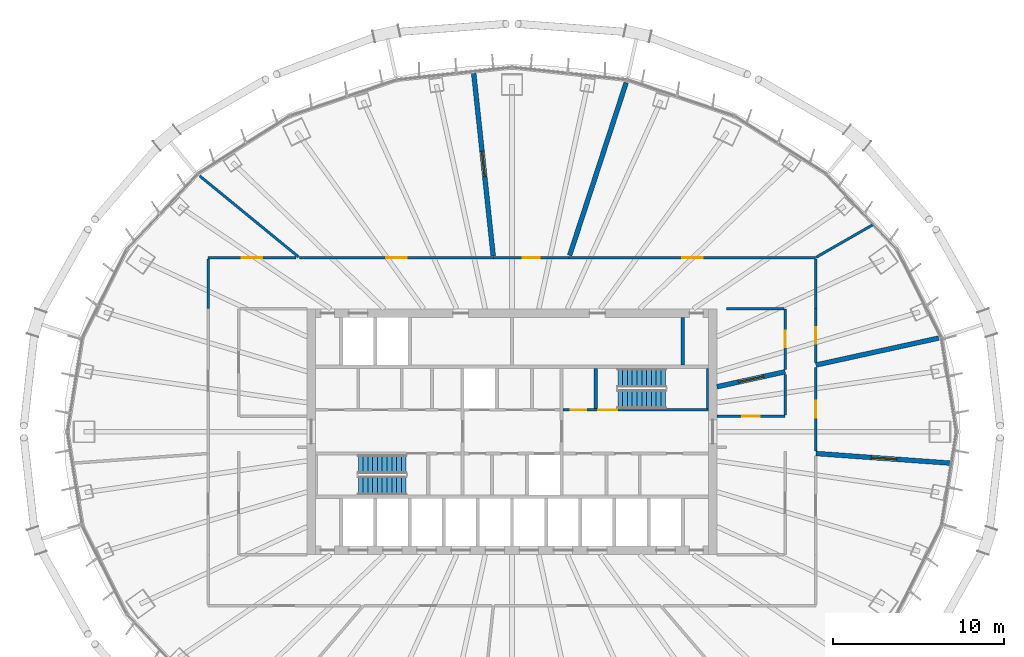
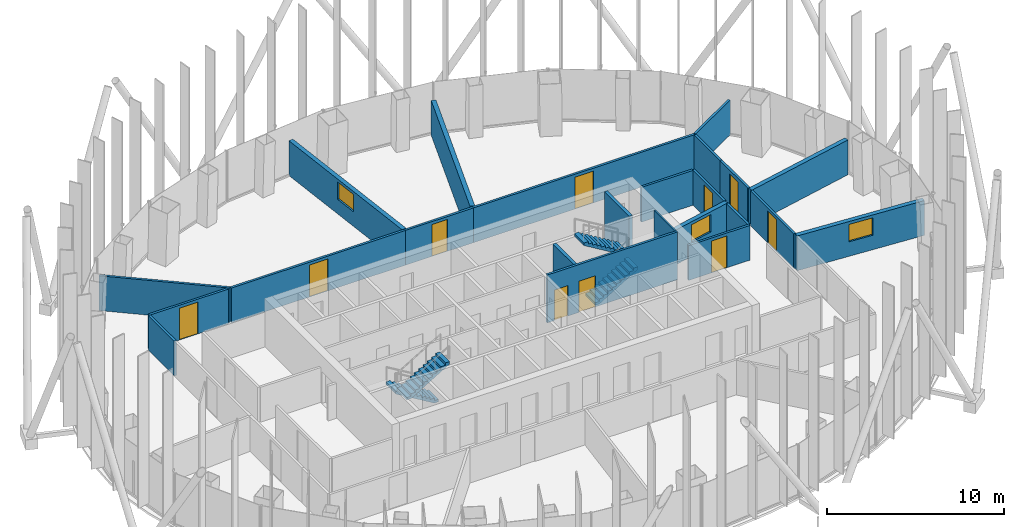
# One storey, part 10 of 19: 23 walls, 10 doors, 4 stair flights, 3 windows, 13 openings, 2 elements without a shape of their own.
"""IFC4 building model written with IfcOpenShell, lengths in metres."""

from ifc_helpers import new_model, si_unit, direction, frame, frame_2d, origin, place, context, subcontext, project, spatial, polyline, rectangle, outline, extrude, material, layer, layer_set, type_object, element, fill, aggregate, save


model = new_model("IFC4")

# Units and contexts
model_context = context("Model", 3, precision=1e-05, world=origin(), true_north=direction((0.0, 1.0)))
body_context = subcontext(model_context, "Body", "Model", "MODEL_VIEW")
ifc_project = project(units=[si_unit("LENGTHUNIT", "METRE"), si_unit("AREAUNIT", "SQUARE_METRE"), si_unit("VOLUMEUNIT", "CUBIC_METRE"), si_unit("PLANEANGLEUNIT", "RADIAN"), si_unit("MASSUNIT", "GRAM", prefix="KILO")], contexts=[model_context])

# Site, building, storey
site_placement = place(None, origin())
site = spatial("IfcSite", under=ifc_project, at=site_placement, CompositionType="ELEMENT")
building_placement = place(site_placement, origin())
building = spatial("IfcBuilding", under=site, at=building_placement, Name="Siaravel Broadcast Tower", CompositionType="ELEMENT")
storey_placement = place(building_placement, frame((0.0, 0.0, 97.10009765625)))
storey = spatial("IfcBuildingStorey", under=building, at=storey_placement, Name="L22", CompositionType="ELEMENT", Elevation=97.10009765625)

# Wall, opening, window
ifc_material_1 = material(Name="Double-leaf acoustic partition", Category="gypsum")
ifc_layer_1 = layer(ifc_material_1, 0.280029296875)
ifc_layer_set_1 = layer_set([ifc_layer_1], Name="Double-leaf acoustic partition")
wall_type_1 = type_object("IfcWallType", Name="Acoustic double-leaf wall 280", PredefinedType="PARTITIONING", material=ifc_layer_set_1)
wall_1_placement = place(storey_placement, frame((-1.09912109375, 10.2919921875, 0.0), z_axis=(0.0, 0.0, 1.0), x_axis=(-0.106202827, 0.994344487, 0.0)))
wall_1 = element("IfcWall", 1, at=wall_1_placement, inside=storey, type_object=wall_type_1, Name="L22 partition 4", PredefinedType="PARTITIONING", context=body_context, shape_type="SweptSolid", body=[
    extrude(rectangle(XDim=10.857421875, YDim=0.280029296875, at=frame_2d((5.4287109375, 0.0))), origin(), (0.0, 0.0, 1.0), 2.39990234375),
])
opening_1_placement = place(wall_1_placement, frame((4.6787109375, 0.0, 1.0)))
opening_1 = element("IfcOpeningElement", 2, at=opening_1_placement, cuts=wall_1, Name="Opening L22-W03", PredefinedType="OPENING", context=body_context, shape_type="SweptSolid", body=[
    extrude(rectangle(XDim=1.5, YDim=1.199951171875, at=frame_2d((0.75, 0.60009765625))), frame((0.0, 0.14990234375, 0.0), z_axis=(0.0, -1.0, 0.0), x_axis=(1.0, 0.0, 0.0)), (0.0, 0.0, 1.0), 0.300048828125),
])
ifc_material_2 = material(Name="Laminated acoustic glass", Category="glass")
window_type = type_object("IfcWindowType", Name="Studio viewing window 1500", PartitioningType="SINGLE_PANEL", PredefinedType="WINDOW", material=ifc_material_2)
window_1_placement = place(opening_1_placement, origin())
window_1 = element("IfcWindow", 3, at=window_1_placement, inside=storey, type_object=window_type, Name="L22 viewing window to Viewing theatre", OverallHeight=1.199951171875, OverallWidth=1.5, PartitioningType="SINGLE_PANEL", PredefinedType="WINDOW", context=body_context, shape_type="SweptSolid", body=[
    extrude(rectangle(XDim=1.5, YDim=1.199951171875, at=frame_2d((0.75, 0.60009765625))), frame((0.0, 0.030029296875, 0.0), z_axis=(0.0, -1.0, 0.0), x_axis=(1.0, 0.0, 0.0)), (0.0, 0.0, 1.0), 0.06005859375),
])
fill(opening_1, window_1)

# Wall
wall_2_placement = place(storey_placement, frame((6.68896484375, 20.447998046875, 0.0), z_axis=(0.0, 0.0, 1.0), x_axis=(-0.310888923, -0.950446252, 0.0)))
element("IfcWall", 4, at=wall_2_placement, inside=storey, type_object=wall_type_1, Name="L22 partition 5", PredefinedType="PARTITIONING", context=body_context, shape_type="SweptSolid", body=[
    extrude(rectangle(XDim=10.65576171875, YDim=0.280029296875, at=frame_2d((5.327880859375, 0.0))), origin(), (0.0, 0.0, 1.0), 2.39990234375),
])

# Wall, opening, window
wall_3_placement = place(storey_placement, frame((25.77099609375, -1.8466796875, 0.0), z_axis=(0.0, 0.0, 1.0), x_axis=(-0.997443635, 0.071457645, 0.0)))
wall_3 = element("IfcWall", 5, at=wall_3_placement, inside=storey, type_object=wall_type_1, Name="L22 partition 12", PredefinedType="PARTITIONING", context=body_context, shape_type="SweptSolid", body=[
    extrude(rectangle(XDim=7.991455078125, YDim=0.280029296875, at=frame_2d((3.99560546875, 0.0))), origin(), (0.0, 0.0, 1.0), 2.39990234375),
])
opening_2_placement = place(wall_3_placement, frame((3.245849609375, 0.0, 1.0)))
opening_2 = element("IfcOpeningElement", 6, at=opening_2_placement, cuts=wall_3, Name="Opening L22-W02", PredefinedType="OPENING", context=body_context, shape_type="SweptSolid", body=[
    extrude(rectangle(XDim=1.5, YDim=1.199951171875, at=frame_2d((0.75, 0.60009765625))), frame((0.0, 0.14990234375, 0.0), z_axis=(0.0, -1.0, 0.0), x_axis=(1.0, 0.0, 0.0)), (0.0, 0.0, 1.0), 0.300048828125),
])
window_2_placement = place(opening_2_placement, origin())
window_2 = element("IfcWindow", 7, at=window_2_placement, inside=storey, type_object=window_type, Name="L22 viewing window to Viewing theatre", OverallHeight=1.199951171875, OverallWidth=1.5, PartitioningType="SINGLE_PANEL", PredefinedType="WINDOW", context=body_context, shape_type="SweptSolid", body=[
    extrude(rectangle(XDim=1.5, YDim=1.199951171875, at=frame_2d((0.75, 0.60009765625))), frame((0.0, 0.030029296875, 0.0), z_axis=(0.0, -1.0, 0.0), x_axis=(1.0, 0.0, 0.0)), (0.0, 0.0, 1.0), 0.06005859375),
])
fill(opening_2, window_2)

# Wall
wall_4_placement = place(storey_placement, frame((24.985595703125, 5.48388671875, 0.0), z_axis=(0.0, 0.0, 1.0), x_axis=(-0.976749089, -0.214385673, 0.0)))
element("IfcWall", 8, at=wall_4_placement, inside=storey, type_object=wall_type_1, Name="L22 partition 16", PredefinedType="PARTITIONING", context=body_context, shape_type="SweptSolid", body=[
    extrude(rectangle(XDim=7.356689453125, YDim=0.280029296875, at=frame_2d((3.67822265625, 0.0))), origin(), (0.0, 0.0, 1.0), 2.39990234375),
])

# Wall, opening, window
wall_5_placement = place(storey_placement, frame((16.0, 3.51171875, 0.0), z_axis=(0.0, 0.0, 1.0), x_axis=(-0.976750433, -0.214379551, 0.0)))
wall_5 = element("IfcWall", 9, at=wall_5_placement, inside=storey, type_object=wall_type_1, Name="L22 partition 25", PredefinedType="PARTITIONING", context=body_context, shape_type="SweptSolid", body=[
    extrude(rectangle(XDim=4.09521484375, YDim=0.280029296875, at=frame_2d((2.047607421875, 0.0))), origin(), (0.0, 0.0, 1.0), 2.39990234375),
])
opening_3_placement = place(wall_5_placement, frame((1.297607421875, 0.0, 1.0)))
opening_3 = element("IfcOpeningElement", 10, at=opening_3_placement, cuts=wall_5, Name="Opening L22-W01", PredefinedType="OPENING", context=body_context, shape_type="SweptSolid", body=[
    extrude(rectangle(XDim=1.5, YDim=1.199951171875, at=frame_2d((0.75, 0.60009765625))), frame((0.0, 0.14990234375, 0.0), z_axis=(0.0, -1.0, 0.0), x_axis=(1.0, 0.0, 0.0)), (0.0, 0.0, 1.0), 0.300048828125),
])
window_3_placement = place(opening_3_placement, origin())
window_3 = element("IfcWindow", 11, at=window_3_placement, inside=storey, type_object=window_type, Name="L22 viewing window to Viewing theatre", OverallHeight=1.199951171875, OverallWidth=1.5, PartitioningType="SINGLE_PANEL", PredefinedType="WINDOW", context=body_context, shape_type="SweptSolid", body=[
    extrude(rectangle(XDim=1.5, YDim=1.199951171875, at=frame_2d((0.75, 0.60009765625))), frame((0.0, 0.030029296875, 0.0), z_axis=(0.0, -1.0, 0.0), x_axis=(1.0, 0.0, 0.0)), (0.0, 0.0, 1.0), 0.06005859375),
])
fill(opening_3, window_3)

# Wall, opening, door
ifc_material_3 = material(Name="Gypsum board partition", Category="gypsum")
ifc_layer_2 = layer(ifc_material_3, 0.14990234375)
ifc_layer_set_2 = layer_set([ifc_layer_2], Name="Gypsum board partition")
wall_type_2 = type_object("IfcWallType", Name="Corridor wall 150", PredefinedType="PARTITIONING", material=ifc_layer_set_2)
wall_6_placement = place(storey_placement, frame((17.783935546875, 10.199951171875, 0.0), z_axis=(0.0, 0.0, 1.0), x_axis=(-1.0, 0.0, 0.0)))
wall_6 = element("IfcWall", 12, at=wall_6_placement, inside=storey, type_object=wall_type_2, Name="L22 partition 1", PredefinedType="PARTITIONING", context=body_context, shape_type="SweptSolid", body=[
    extrude(rectangle(XDim=14.447265625, YDim=0.14990234375, at=frame_2d((7.2236328125, 0.0))), origin(), (0.0, 0.0, 1.0), 2.39990234375),
])
opening_4_placement = place(wall_6_placement, frame((6.623779296875, 0.0, 0.0)))
opening_4 = element("IfcOpeningElement", 13, at=opening_4_placement, cuts=wall_6, Name="Opening L22-017", PredefinedType="OPENING", context=body_context, shape_type="SweptSolid", body=[
    extrude(rectangle(XDim=1.199951171875, YDim=2.199951171875, at=frame_2d((0.60009765625, 1.10009765625))), frame((0.0, 0.0849609375, 0.0), z_axis=(0.0, -1.0, 0.0), x_axis=(1.0, 0.0, 0.0)), (0.0, 0.0, 1.0), 0.169921875),
])
ifc_material_4 = material(Name="Timber veneer", Category="wood")
door_type_1 = type_object("IfcDoorType", Name="Office double door 1200", OperationType="DOUBLE_DOOR_SINGLE_SWING", PredefinedType="DOOR", material=ifc_material_4)
door_1_placement = place(opening_4_placement, origin())
door_1 = element("IfcDoor", 14, at=door_1_placement, inside=storey, type_object=door_type_1, Name="L22 door to Open plan production office", OperationType="DOUBLE_DOOR_SINGLE_SWING", OverallHeight=2.199951171875, OverallWidth=1.199951171875, PredefinedType="DOOR", context=body_context, shape_type="SweptSolid", body=[
    extrude(rectangle(XDim=1.199951171875, YDim=2.199951171875, at=frame_2d((0.60009765625, 1.10009765625))), frame((0.0, 0.02490234375, 0.0), z_axis=(0.0, -1.0, 0.0), x_axis=(1.0, 0.0, 0.0)), (0.0, 0.0, 1.0), 0.050048828125),
])
fill(opening_4, door_1)

wall_7_placement = place(storey_placement, frame((-1.08935546875, 10.199951171875, 0.0), z_axis=(0.0, 0.0, 1.0), x_axis=(-1.0, 0.0, 0.0)))
wall_7 = element("IfcWall", 15, at=wall_7_placement, inside=storey, type_object=wall_type_2, Name="L22 partition 2", PredefinedType="PARTITIONING", context=body_context, shape_type="SweptSolid", body=[
    extrude(rectangle(XDim=11.363037109375, YDim=0.14990234375, at=frame_2d((5.681640625, 0.0))), origin(), (0.0, 0.0, 1.0), 2.39990234375),
])
opening_5_placement = place(wall_7_placement, frame((5.08154296875, 0.0, 0.0)))
opening_5 = element("IfcOpeningElement", 16, at=opening_5_placement, cuts=wall_7, Name="Opening L22-001", PredefinedType="OPENING", context=body_context, shape_type="SweptSolid", body=[
    extrude(rectangle(XDim=1.199951171875, YDim=2.199951171875, at=frame_2d((0.60009765625, 1.10009765625))), frame((0.0, 0.0849609375, 0.0), z_axis=(0.0, -1.0, 0.0), x_axis=(1.0, 0.0, 0.0)), (0.0, 0.0, 1.0), 0.169921875),
])
door_2_placement = place(opening_5_placement, origin())
door_2 = element("IfcDoor", 17, at=door_2_placement, inside=storey, type_object=door_type_1, Name="L22 door to Open plan production office", OperationType="DOUBLE_DOOR_SINGLE_SWING", OverallHeight=2.199951171875, OverallWidth=1.199951171875, PredefinedType="DOOR", context=body_context, shape_type="SweptSolid", body=[
    extrude(rectangle(XDim=1.199951171875, YDim=2.199951171875, at=frame_2d((0.60009765625, 1.10009765625))), frame((0.0, 0.02490234375, 0.0), z_axis=(0.0, -1.0, 0.0), x_axis=(1.0, 0.0, 0.0)), (0.0, 0.0, 1.0), 0.050048828125),
])
fill(opening_5, door_2)

wall_8_placement = place(storey_placement, frame((-12.66455078125, 10.199951171875, 0.0), z_axis=(0.0, 0.0, 1.0), x_axis=(-1.0, 0.0, 0.0)))
wall_8 = element("IfcWall", 18, at=wall_8_placement, inside=storey, type_object=wall_type_2, Name="L22 partition 22", PredefinedType="PARTITIONING", context=body_context, shape_type="SweptSolid", body=[
    extrude(rectangle(XDim=5.135498046875, YDim=0.14990234375, at=frame_2d((2.56787109375, 0.0))), origin(), (0.0, 0.0, 1.0), 2.39990234375),
])
opening_6_placement = place(wall_8_placement, frame((1.9677734375, 0.0, 0.0)))
opening_6 = element("IfcOpeningElement", 19, at=opening_6_placement, cuts=wall_8, Name="Opening L22-003", PredefinedType="OPENING", context=body_context, shape_type="SweptSolid", body=[
    extrude(rectangle(XDim=1.199951171875, YDim=2.199951171875, at=frame_2d((0.60009765625, 1.10009765625))), frame((0.0, 0.0849609375, 0.0), z_axis=(0.0, -1.0, 0.0), x_axis=(1.0, 0.0, 0.0)), (0.0, 0.0, 1.0), 0.169921875),
])
door_3_placement = place(opening_6_placement, origin())
door_3 = element("IfcDoor", 20, at=door_3_placement, inside=storey, type_object=door_type_1, Name="L22 door to Open plan production office", OperationType="DOUBLE_DOOR_SINGLE_SWING", OverallHeight=2.199951171875, OverallWidth=1.199951171875, PredefinedType="DOOR", context=body_context, shape_type="SweptSolid", body=[
    extrude(rectangle(XDim=1.199951171875, YDim=2.199951171875, at=frame_2d((0.60009765625, 1.10009765625))), frame((0.0, 0.02490234375, 0.0), z_axis=(0.0, -1.0, 0.0), x_axis=(1.0, 0.0, 0.0)), (0.0, 0.0, 1.0), 0.050048828125),
])
fill(opening_6, door_3)

wall_9_placement = place(storey_placement, frame((17.800048828125, -1.134033203125, 0.0), z_axis=(0.0, 0.0, 1.0), x_axis=(0.0, 1.0, 0.0)))
wall_9 = element("IfcWall", 21, at=wall_9_placement, inside=storey, type_object=wall_type_2, Name="L22 partition 23", PredefinedType="PARTITIONING", context=body_context, shape_type="SweptSolid", body=[
    extrude(rectangle(XDim=4.902099609375, YDim=0.14990234375, at=frame_2d((2.451171875, 0.0))), origin(), (0.0, 0.0, 1.0), 2.39990234375),
])
opening_7_placement = place(wall_9_placement, frame((1.950927734375, 0.0, 0.0)))
opening_7 = element("IfcOpeningElement", 22, at=opening_7_placement, cuts=wall_9, Name="Opening L22-014", PredefinedType="OPENING", context=body_context, shape_type="SweptSolid", body=[
    extrude(rectangle(XDim=1.0, YDim=2.199951171875, at=frame_2d((0.5, 1.10009765625))), frame((0.0, 0.0849609375, 0.0), z_axis=(0.0, -1.0, 0.0), x_axis=(1.0, 0.0, 0.0)), (0.0, 0.0, 1.0), 0.169921875),
])
ifc_material_5 = material(Name="Acoustic timber and steel", Category="steel")
door_type_2 = type_object("IfcDoorType", Name="Acoustic door 1000", OperationType="SINGLE_SWING_LEFT", PredefinedType="DOOR", material=ifc_material_5)
door_4_placement = place(opening_7_placement, origin())
door_4 = element("IfcDoor", 23, at=door_4_placement, inside=storey, type_object=door_type_2, Name="L22 door to Viewing theatre", OperationType="SINGLE_SWING_RIGHT", OverallHeight=2.199951171875, OverallWidth=1.0, PredefinedType="DOOR", context=body_context, shape_type="SweptSolid", body=[
    extrude(rectangle(XDim=1.0, YDim=2.199951171875, at=frame_2d((0.5, 1.10009765625))), frame((0.0, 0.02490234375, 0.0), z_axis=(0.0, -1.0, 0.0), x_axis=(1.0, 0.0, 0.0)), (0.0, 0.0, 1.0), 0.050048828125),
])
fill(opening_7, door_4)

wall_10_placement = place(storey_placement, frame((3.335693359375, 10.199951171875, 0.0), z_axis=(0.0, 0.0, 1.0), x_axis=(-1.0, 0.0, 0.0)))
wall_10 = element("IfcWall", 24, at=wall_10_placement, inside=storey, type_object=wall_type_2, Name="L22 partition 24", PredefinedType="PARTITIONING", context=body_context, shape_type="SweptSolid", body=[
    extrude(rectangle(XDim=4.424072265625, YDim=0.14990234375, at=frame_2d((2.2119140625, 0.0))), origin(), (0.0, 0.0, 1.0), 2.39990234375),
])
opening_8_placement = place(wall_10_placement, frame((1.7119140625, 0.0, 0.0)))
opening_8 = element("IfcOpeningElement", 25, at=opening_8_placement, cuts=wall_10, Name="Opening L22-018", PredefinedType="OPENING", context=body_context, shape_type="SweptSolid", body=[
    extrude(rectangle(XDim=1.0, YDim=2.199951171875, at=frame_2d((0.5, 1.10009765625))), frame((0.0, 0.0849609375, 0.0), z_axis=(0.0, -1.0, 0.0), x_axis=(1.0, 0.0, 0.0)), (0.0, 0.0, 1.0), 0.169921875),
])
door_5_placement = place(opening_8_placement, origin())
door_5 = element("IfcDoor", 26, at=door_5_placement, inside=storey, type_object=door_type_2, Name="L22 door to Viewing theatre", OperationType="SINGLE_SWING_RIGHT", OverallHeight=2.199951171875, OverallWidth=1.0, PredefinedType="DOOR", context=body_context, shape_type="SweptSolid", body=[
    extrude(rectangle(XDim=1.0, YDim=2.199951171875, at=frame_2d((0.5, 1.10009765625))), frame((0.0, 0.02490234375, 0.0), z_axis=(0.0, -1.0, 0.0), x_axis=(1.0, 0.0, 0.0)), (0.0, 0.0, 1.0), 0.050048828125),
])
fill(opening_8, door_5)

wall_11_placement = place(storey_placement, frame((16.0, 0.89990234375, 0.0), z_axis=(0.0, 0.0, 1.0), x_axis=(-1.0, 0.0, 0.0)))
wall_11 = element("IfcWall", 27, at=wall_11_placement, inside=storey, type_object=wall_type_2, Name="L22 partition 30", PredefinedType="PARTITIONING", context=body_context, shape_type="SweptSolid", body=[
    extrude(rectangle(XDim=4.0, YDim=0.14990234375, at=frame_2d((2.0, 0.0))), origin(), (0.0, 0.0, 1.0), 2.39990234375),
])
opening_9_placement = place(wall_11_placement, frame((1.5, 0.0, 0.0)))
opening_9 = element("IfcOpeningElement", 28, at=opening_9_placement, cuts=wall_11, Name="Opening L22-013", PredefinedType="OPENING", context=body_context, shape_type="SweptSolid", body=[
    extrude(rectangle(XDim=1.0, YDim=2.199951171875, at=frame_2d((0.5, 1.10009765625))), frame((0.0, 0.0849609375, 0.0), z_axis=(0.0, -1.0, 0.0), x_axis=(1.0, 0.0, 0.0)), (0.0, 0.0, 1.0), 0.169921875),
])
door_6_placement = place(opening_9_placement, origin())
door_6 = element("IfcDoor", 29, at=door_6_placement, inside=storey, type_object=door_type_2, Name="L22 door to Viewing theatre", OperationType="SINGLE_SWING_LEFT", OverallHeight=2.199951171875, OverallWidth=1.0, PredefinedType="DOOR", context=body_context, shape_type="SweptSolid", body=[
    extrude(rectangle(XDim=1.0, YDim=2.199951171875, at=frame_2d((0.5, 1.10009765625))), frame((0.0, 0.02490234375, 0.0), z_axis=(0.0, -1.0, 0.0), x_axis=(1.0, 0.0, 0.0)), (0.0, 0.0, 1.0), 0.050048828125),
])
fill(opening_9, door_6)

wall_12_placement = place(storey_placement, frame((16.0, 7.199951171875, 0.0), z_axis=(0.0, 0.0, 1.0), x_axis=(0.0, -1.0, 0.0)))
wall_12 = element("IfcWall", 30, at=wall_12_placement, inside=storey, type_object=wall_type_2, Name="L22 partition 32", PredefinedType="PARTITIONING", context=body_context, shape_type="SweptSolid", body=[
    extrude(rectangle(XDim=3.549560546875, YDim=0.14990234375, at=frame_2d((1.77490234375, 0.0))), origin(), (0.0, 0.0, 1.0), 2.39990234375),
])
opening_10_placement = place(wall_12_placement, frame((1.2998046875, 0.0, 0.0)))
opening_10 = element("IfcOpeningElement", 31, at=opening_10_placement, cuts=wall_12, Name="Opening L22-015", PredefinedType="OPENING", context=body_context, shape_type="SweptSolid", body=[
    extrude(rectangle(XDim=0.949951171875, YDim=2.14990234375, at=frame_2d((0.47509765625, 1.074951171875))), frame((0.0, 0.0849609375, 0.0), z_axis=(0.0, -1.0, 0.0), x_axis=(1.0, 0.0, 0.0)), (0.0, 0.0, 1.0), 0.169921875),
])
door_type_3 = type_object("IfcDoorType", Name="Office door 950", OperationType="SINGLE_SWING_LEFT", PredefinedType="DOOR", material=ifc_material_4)
door_7_placement = place(opening_10_placement, origin())
door_7 = element("IfcDoor", 32, at=door_7_placement, inside=storey, type_object=door_type_3, Name="L22 door to Production office", OperationType="SINGLE_SWING_LEFT", OverallHeight=2.14990234375, OverallWidth=0.949951171875, PredefinedType="DOOR", context=body_context, shape_type="SweptSolid", body=[
    extrude(rectangle(XDim=0.949951171875, YDim=2.14990234375, at=frame_2d((0.47509765625, 1.074951171875))), frame((0.0, 0.02490234375, 0.0), z_axis=(0.0, -1.0, 0.0), x_axis=(1.0, 0.0, 0.0)), (0.0, 0.0, 1.0), 0.050048828125),
])
fill(opening_10, door_7)

# Wall
wall_13_placement = place(storey_placement, frame((12.553466796875, 7.199951171875, 0.0), z_axis=(0.0, 0.0, 1.0), x_axis=(1.0, 0.0, 0.0)))
element("IfcWall", 33, at=wall_13_placement, inside=storey, type_object=wall_type_2, Name="L22 partition 33", PredefinedType="PARTITIONING", context=body_context, shape_type="SweptSolid", body=[
    extrude(rectangle(XDim=3.36962890625, YDim=0.14990234375, at=frame_2d((1.684814453125, 0.0))), origin(), (0.0, 0.0, 1.0), 2.39990234375),
])

# Wall, opening, door
wall_14_placement = place(storey_placement, frame((17.800048828125, 4.068603515625, 0.0), z_axis=(0.0, 0.0, 1.0), x_axis=(0.0, 1.0, 0.0)))
wall_14 = element("IfcWall", 34, at=wall_14_placement, inside=storey, type_object=wall_type_2, Name="L22 partition 34", PredefinedType="PARTITIONING", context=body_context, shape_type="SweptSolid", body=[
    extrude(rectangle(XDim=3.143310546875, YDim=0.14990234375, at=frame_2d((1.57177734375, 0.0))), origin(), (0.0, 0.0, 1.0), 2.39990234375),
])
opening_11_placement = place(wall_14_placement, frame((1.0966796875, 0.0, 0.0)))
opening_11 = element("IfcOpeningElement", 35, at=opening_11_placement, cuts=wall_14, Name="Opening L22-016", PredefinedType="OPENING", context=body_context, shape_type="SweptSolid", body=[
    extrude(rectangle(XDim=0.949951171875, YDim=2.14990234375, at=frame_2d((0.47509765625, 1.074951171875))), frame((0.0, 0.0849609375, 0.0), z_axis=(0.0, -1.0, 0.0), x_axis=(1.0, 0.0, 0.0)), (0.0, 0.0, 1.0), 0.169921875),
])
door_8_placement = place(opening_11_placement, origin())
door_8 = element("IfcDoor", 36, at=door_8_placement, inside=storey, type_object=door_type_3, Name="L22 door to Production office", OperationType="SINGLE_SWING_RIGHT", OverallHeight=2.14990234375, OverallWidth=0.949951171875, PredefinedType="DOOR", context=body_context, shape_type="SweptSolid", body=[
    extrude(rectangle(XDim=0.949951171875, YDim=2.14990234375, at=frame_2d((0.47509765625, 1.074951171875))), frame((0.0, 0.02490234375, 0.0), z_axis=(0.0, -1.0, 0.0), x_axis=(1.0, 0.0, 0.0)), (0.0, 0.0, 1.0), 0.050048828125),
])
fill(opening_11, door_8)

# Walls
for number, where, z_axis, x_axis, name in (
    (37, (17.800048828125, 7.212890625, 0.0), (0.0, 0.0, 1.0), (0.0, 1.0, 0.0), "L22 partition 35"),
    (38, (-17.800048828125, 10.123046875, 0.0), (0.0, 0.0, 1.0), (0.0, -1.0, 0.0), "L22 partition 37"),
):
    element("IfcWall", number, at=place(storey_placement, frame(where, z_axis=z_axis, x_axis=x_axis)), inside=storey, type_object=wall_type_2, Name=name, PredefinedType="PARTITIONING", context=body_context, shape_type="SweptSolid", body=[
        extrude(rectangle(XDim=2.91015625, YDim=0.14990234375, at=frame_2d((1.455078125, 0.0))), origin(), (0.0, 0.0, 1.0), 2.39990234375),
    ])
wall_15_placement = place(storey_placement, frame((16.0, 3.349853515625, 0.0), z_axis=(0.0, 0.0, 1.0), x_axis=(0.0, -1.0, 0.0)))
element("IfcWall", 39, at=wall_15_placement, inside=storey, type_object=wall_type_2, Name="L22 partition 39", PredefinedType="PARTITIONING", context=body_context, shape_type="SweptSolid", body=[
    extrude(rectangle(XDim=2.372802734375, YDim=0.14990234375, at=frame_2d((1.1865234375, 0.0))), origin(), (0.0, 0.0, 1.0), 2.39990234375),
])
ifc_layer_3 = layer(ifc_material_3, 0.14990234375)
ifc_layer_set_3 = layer_set([ifc_layer_3], Name="Gypsum board partition")
wall_type_3 = type_object("IfcWallType", Name="Room partition 150", PredefinedType="PARTITIONING", material=ifc_layer_set_3)
wall_16_placement = place(storey_placement, frame((-18.283447265625, 14.976318359375, 0.0), z_axis=(0.0, 0.0, 1.0), x_axis=(0.773592541, -0.633683344, 0.0)))
element("IfcWall", 40, at=wall_16_placement, inside=storey, type_object=wall_type_3, Name="L22 partition 15", PredefinedType="PARTITIONING", context=body_context, shape_type="SweptSolid", body=[
    extrude(rectangle(XDim=7.48779296875, YDim=0.14990234375, at=frame_2d((3.743896484375, 0.0))), origin(), (0.0, 0.0, 1.0), 2.39990234375),
])
wall_17_placement = place(storey_placement, frame((21.1826171875, 12.149169921875, 0.0), z_axis=(0.0, 0.0, 1.0), x_axis=(-0.867451833, -0.497521173, 0.0)))
element("IfcWall", 41, at=wall_17_placement, inside=storey, type_object=wall_type_3, Name="L22 partition 31", PredefinedType="PARTITIONING", context=body_context, shape_type="SweptSolid", body=[
    extrude(rectangle(XDim=3.878662109375, YDim=0.14990234375, at=frame_2d((1.939453125, 0.0))), origin(), (0.0, 0.0, 1.0), 2.39990234375),
])
ifc_material_6 = material(Name="Concrete C60/75", Category="concrete")
ifc_layer_4 = layer(ifc_material_6, 0.10009765625)
ifc_layer_set_4 = layer_set([ifc_layer_4], Name="Concrete C60/75")
wall_type_4 = type_object("IfcWallType", Name="Shaft wall 100", PredefinedType="SHEAR", material=ifc_layer_set_4)
wall_18_placement = place(storey_placement, frame((11.449951171875, 1.35009765625, 0.0), z_axis=(0.0, 0.0, 1.0), x_axis=(0.0, 1.0, 0.0)))
element("IfcWall", 42, at=wall_18_placement, inside=storey, type_object=wall_type_4, Name="L22 core wall ST2E", PredefinedType="SHEAR", context=body_context, shape_type="SweptSolid", body=[
    extrude(rectangle(XDim=2.349853515625, YDim=0.10009765625, at=frame_2d((1.1748046875, 0.0))), origin(), (0.0, 0.0, 1.0), 3.2998046875),
])

# Wall, openings, doors
ifc_layer_5 = layer(ifc_material_6, 0.14990234375)
ifc_layer_set_5 = layer_set([ifc_layer_5], Name="Concrete C60/75")
wall_type_5 = type_object("IfcWallType", Name="Shaft wall 150", PredefinedType="SHEAR", material=ifc_layer_set_5)
wall_19_placement = place(storey_placement, frame((3.0, 1.27490234375, 0.0), z_axis=(0.0, 0.0, 1.0), x_axis=(1.0, 0.0, 0.0)))
wall_19 = element("IfcWall", 43, at=wall_19_placement, inside=storey, type_object=wall_type_5, Name="L22 core wall CNE", PredefinedType="SHEAR", context=body_context, shape_type="SweptSolid", body=[
    extrude(rectangle(XDim=8.5, YDim=0.14990234375, at=frame_2d((4.25, 0.0))), origin(), (0.0, 0.0, 1.0), 3.2998046875),
])
opening_12_placement = place(wall_19_placement, frame((2.050048828125, 0.0, 0.0)))
opening_12 = element("IfcOpeningElement", 44, at=opening_12_placement, cuts=wall_19, Name="Opening L22-DS-2", PredefinedType="OPENING", context=body_context, shape_type="SweptSolid", body=[
    extrude(rectangle(XDim=1.10009765625, YDim=2.14990234375, at=frame_2d((0.550048828125, 1.074951171875))), frame((0.0, 0.0849609375, 0.0), z_axis=(0.0, -1.0, 0.0), x_axis=(1.0, 0.0, 0.0)), (0.0, 0.0, 1.0), 0.169921875),
])
opening_13_placement = place(wall_19_placement, frame((0.449951171875, 0.0, 0.0)))
opening_13 = element("IfcOpeningElement", 45, at=opening_13_placement, cuts=wall_19, Name="Opening L22-DNE0", PredefinedType="OPENING", context=body_context, shape_type="SweptSolid", body=[
    extrude(rectangle(XDim=0.89990234375, YDim=2.10009765625, at=frame_2d((0.449951171875, 1.050048828125))), frame((0.0, 0.0849609375, 0.0), z_axis=(0.0, -1.0, 0.0), x_axis=(1.0, 0.0, 0.0)), (0.0, 0.0, 1.0), 0.169921875),
])
door_type_4 = type_object("IfcDoorType", Name="Core room door 900", OperationType="SINGLE_SWING_LEFT", PredefinedType="DOOR", material=ifc_material_4)
door_9_placement = place(opening_13_placement, origin())
door_9 = element("IfcDoor", 46, at=door_9_placement, inside=storey, type_object=door_type_4, Name="L22 door DNE0", OperationType="SINGLE_SWING_LEFT", OverallHeight=2.10009765625, OverallWidth=0.89990234375, PredefinedType="DOOR", context=body_context, shape_type="SweptSolid", body=[
    extrude(rectangle(XDim=0.89990234375, YDim=2.10009765625, at=frame_2d((0.449951171875, 1.050048828125))), frame((0.0, 0.02490234375, 0.0), z_axis=(0.0, -1.0, 0.0), x_axis=(1.0, 0.0, 0.0)), (0.0, 0.0, 1.0), 0.050048828125),
])
fill(opening_13, door_9)
ifc_material_7 = material(Name="Steel", Category="steel")
door_type_5 = type_object("IfcDoorType", Name="Stair door 1100", OperationType="SINGLE_SWING_LEFT", PredefinedType="DOOR", material=ifc_material_7)
door_10_placement = place(opening_12_placement, origin())
door_10 = element("IfcDoor", 47, at=door_10_placement, inside=storey, type_object=door_type_5, Name="L22 door DS-2", OperationType="SINGLE_SWING_LEFT", OverallHeight=2.14990234375, OverallWidth=1.10009765625, PredefinedType="DOOR", context=body_context, shape_type="SweptSolid", body=[
    extrude(rectangle(XDim=1.10009765625, YDim=2.14990234375, at=frame_2d((0.550048828125, 1.074951171875))), frame((0.0, 0.02490234375, 0.0), z_axis=(0.0, -1.0, 0.0), x_axis=(1.0, 0.0, 0.0)), (0.0, 0.0, 1.0), 0.050048828125),
])
fill(opening_12, door_10)

# Walls
ifc_layer_6 = layer(ifc_material_6, 0.199951171875)
ifc_layer_set_6 = layer_set([ifc_layer_6], Name="Concrete C60/75")
wall_type_6 = type_object("IfcWallType", Name="Shaft wall 200", PredefinedType="SHEAR", material=ifc_layer_set_6)
wall_20_placement = place(storey_placement, frame((10.0, 3.89990234375, 0.0), z_axis=(0.0, 0.0, 1.0), x_axis=(0.0, 1.0, 0.0)))
element("IfcWall", 48, at=wall_20_placement, inside=storey, type_object=wall_type_6, Name="L22 core wall SWN10", PredefinedType="SHEAR", context=body_context, shape_type="SweptSolid", body=[
    extrude(rectangle(XDim=2.800048828125, YDim=0.199951171875, at=frame_2d((1.39990234375, 0.0))), origin(), (0.0, 0.0, 1.0), 3.2998046875),
])
wall_21_placement = place(storey_placement, frame((4.89990234375, 1.35009765625, 0.0), z_axis=(0.0, 0.0, 1.0), x_axis=(0.0, 1.0, 0.0)))
element("IfcWall", 49, at=wall_21_placement, inside=storey, type_object=wall_type_6, Name="L22 core wall ST2W", PredefinedType="SHEAR", context=body_context, shape_type="SweptSolid", body=[
    extrude(rectangle(XDim=2.349853515625, YDim=0.199951171875, at=frame_2d((1.1748046875, 0.0))), origin(), (0.0, 0.0, 1.0), 3.2998046875),
])

# Stair, stair flights
ifc_material_8 = material(Name="Concrete C40/50", Category="concrete")
stair_type = type_object("IfcStairType", Name="Core exit stair", PredefinedType="HALF_TURN_STAIR", material=ifc_material_8)
stair_1_placement = place(storey_placement, origin())
stair_1 = element("IfcStair", 50, at=stair_1_placement, inside=storey, type_object=stair_type, Name="L22 Exit stair ST-1", PredefinedType="HALF_TURN_STAIR")
stair_flight_type = type_object("IfcStairFlightType", Name="Stair flight 1100", PredefinedType="STRAIGHT", material=ifc_material_8)
stair_flight_1_placement = place(storey_placement, frame((-6.199951171875, -1.89990234375, 0.0), z_axis=(0.0, 0.0, 1.0), x_axis=(-1.0, 0.0, 0.0)))
stair_flight_1 = element("IfcStairFlight", 51, at=stair_flight_1_placement, type_object=stair_flight_type, Name="ST-1 flight 1", NumberOfRisers=11, NumberOfTreads=10, PredefinedType="STRAIGHT", RiserHeight=0.1681818, TreadLength=0.28, context=body_context, shape_type="SweptSolid", body=[
    extrude(outline(polyline([(0.0, 0.0), (0.0, 0.168212890625), (0.280029296875, 0.168212890625), (0.280029296875, 0.33642578125), (0.56005859375, 0.33642578125), (0.56005859375, 0.504638671875), (0.840087890625, 0.504638671875), (0.840087890625, 0.672607421875), (1.1201171875, 0.672607421875), (1.1201171875, 0.8408203125), (1.39990234375, 0.8408203125), (1.39990234375, 1.009033203125), (1.679931640625, 1.009033203125), (1.679931640625, 1.17724609375), (1.9599609375, 1.17724609375), (1.9599609375, 1.345458984375), (2.239990234375, 1.345458984375), (2.239990234375, 1.513671875), (2.52001953125, 1.513671875), (2.52001953125, 1.681884765625), (2.800048828125, 1.681884765625), (2.800048828125, 1.85009765625), (2.800048828125, 1.5068359375), (0.291015625, 0.0), (0.0, 0.0)])), frame((0.0, 0.550048828125, 0.0), z_axis=(0.0, -1.0, 0.0), x_axis=(1.0, 0.0, 0.0)), (0.0, 0.0, 1.0), 1.10009765625),
])
stair_flight_2_placement = place(storey_placement, frame((-9.0, -3.14990234375, 1.849853515625), z_axis=(0.0, 0.0, 1.0), x_axis=(1.0, 0.0, 0.0)))
stair_flight_2 = element("IfcStairFlight", 52, at=stair_flight_2_placement, type_object=stair_flight_type, Name="ST-1 flight 2", NumberOfRisers=11, NumberOfTreads=10, PredefinedType="STRAIGHT", RiserHeight=0.1681818, TreadLength=0.28, context=body_context, shape_type="SweptSolid", body=[
    extrude(outline(polyline([(0.0, 0.0), (0.0, 0.168212890625), (0.280029296875, 0.168212890625), (0.280029296875, 0.33642578125), (0.56005859375, 0.33642578125), (0.56005859375, 0.504638671875), (0.840087890625, 0.504638671875), (0.840087890625, 0.672607421875), (1.1201171875, 0.672607421875), (1.1201171875, 0.8408203125), (1.39990234375, 0.8408203125), (1.39990234375, 1.009033203125), (1.679931640625, 1.009033203125), (1.679931640625, 1.17724609375), (1.9599609375, 1.17724609375), (1.9599609375, 1.345458984375), (2.239990234375, 1.345458984375), (2.239990234375, 1.513671875), (2.52001953125, 1.513671875), (2.52001953125, 1.681884765625), (2.800048828125, 1.681884765625), (2.800048828125, 1.85009765625), (2.800048828125, 1.5068359375), (0.291015625, 0.0), (0.0, 0.0)])), frame((0.0, 0.550048828125, 0.0), z_axis=(0.0, -1.0, 0.0), x_axis=(1.0, 0.0, 0.0)), (0.0, 0.0, 1.0), 1.10009765625),
])
aggregate(stair_1, [stair_flight_1, stair_flight_2])

stair_2_placement = place(storey_placement, origin())
stair_2 = element("IfcStair", 53, at=stair_2_placement, inside=storey, type_object=stair_type, Name="L22 Exit stair ST-2", PredefinedType="HALF_TURN_STAIR")
stair_flight_3_placement = place(storey_placement, frame((6.199951171875, 1.89990234375, 0.0), z_axis=(0.0, 0.0, 1.0), x_axis=(1.0, 0.0, 0.0)))
stair_flight_3 = element("IfcStairFlight", 54, at=stair_flight_3_placement, type_object=stair_flight_type, Name="ST-2 flight 1", NumberOfRisers=11, NumberOfTreads=10, PredefinedType="STRAIGHT", RiserHeight=0.1681818, TreadLength=0.28, context=body_context, shape_type="SweptSolid", body=[
    extrude(outline(polyline([(0.0, 0.0), (0.0, 0.168212890625), (0.280029296875, 0.168212890625), (0.280029296875, 0.33642578125), (0.56005859375, 0.33642578125), (0.56005859375, 0.504638671875), (0.840087890625, 0.504638671875), (0.840087890625, 0.672607421875), (1.1201171875, 0.672607421875), (1.1201171875, 0.8408203125), (1.39990234375, 0.8408203125), (1.39990234375, 1.009033203125), (1.679931640625, 1.009033203125), (1.679931640625, 1.17724609375), (1.9599609375, 1.17724609375), (1.9599609375, 1.345458984375), (2.239990234375, 1.345458984375), (2.239990234375, 1.513671875), (2.52001953125, 1.513671875), (2.52001953125, 1.681884765625), (2.800048828125, 1.681884765625), (2.800048828125, 1.85009765625), (2.800048828125, 1.5068359375), (0.291015625, 0.0), (0.0, 0.0)])), frame((0.0, 0.550048828125, 0.0), z_axis=(0.0, -1.0, 0.0), x_axis=(1.0, 0.0, 0.0)), (0.0, 0.0, 1.0), 1.10009765625),
])
stair_flight_4_placement = place(storey_placement, frame((9.0, 3.14990234375, 1.849853515625), z_axis=(0.0, 0.0, 1.0), x_axis=(-1.0, 0.0, 0.0)))
stair_flight_4 = element("IfcStairFlight", 55, at=stair_flight_4_placement, type_object=stair_flight_type, Name="ST-2 flight 2", NumberOfRisers=11, NumberOfTreads=10, PredefinedType="STRAIGHT", RiserHeight=0.1681818, TreadLength=0.28, context=body_context, shape_type="SweptSolid", body=[
    extrude(outline(polyline([(0.0, 0.0), (0.0, 0.168212890625), (0.280029296875, 0.168212890625), (0.280029296875, 0.33642578125), (0.56005859375, 0.33642578125), (0.56005859375, 0.504638671875), (0.840087890625, 0.504638671875), (0.840087890625, 0.672607421875), (1.1201171875, 0.672607421875), (1.1201171875, 0.8408203125), (1.39990234375, 0.8408203125), (1.39990234375, 1.009033203125), (1.679931640625, 1.009033203125), (1.679931640625, 1.17724609375), (1.9599609375, 1.17724609375), (1.9599609375, 1.345458984375), (2.239990234375, 1.345458984375), (2.239990234375, 1.513671875), (2.52001953125, 1.513671875), (2.52001953125, 1.681884765625), (2.800048828125, 1.681884765625), (2.800048828125, 1.85009765625), (2.800048828125, 1.5068359375), (0.291015625, 0.0), (0.0, 0.0)])), frame((0.0, 0.550048828125, 0.0), z_axis=(0.0, -1.0, 0.0), x_axis=(1.0, 0.0, 0.0)), (0.0, 0.0, 1.0), 1.10009765625),
])
aggregate(stair_2, [stair_flight_3, stair_flight_4])

save(model, "model.ifc")
